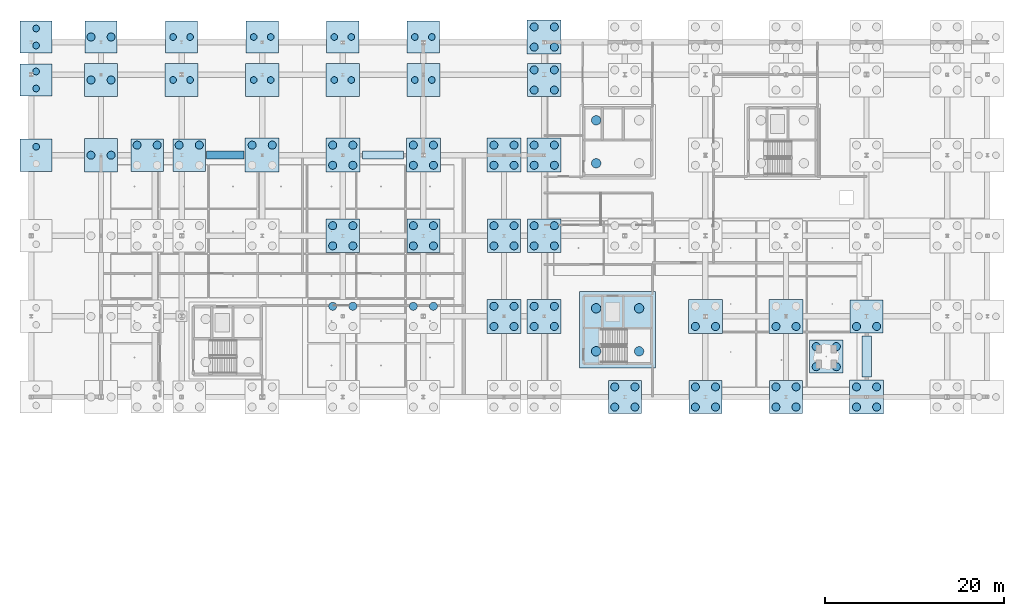
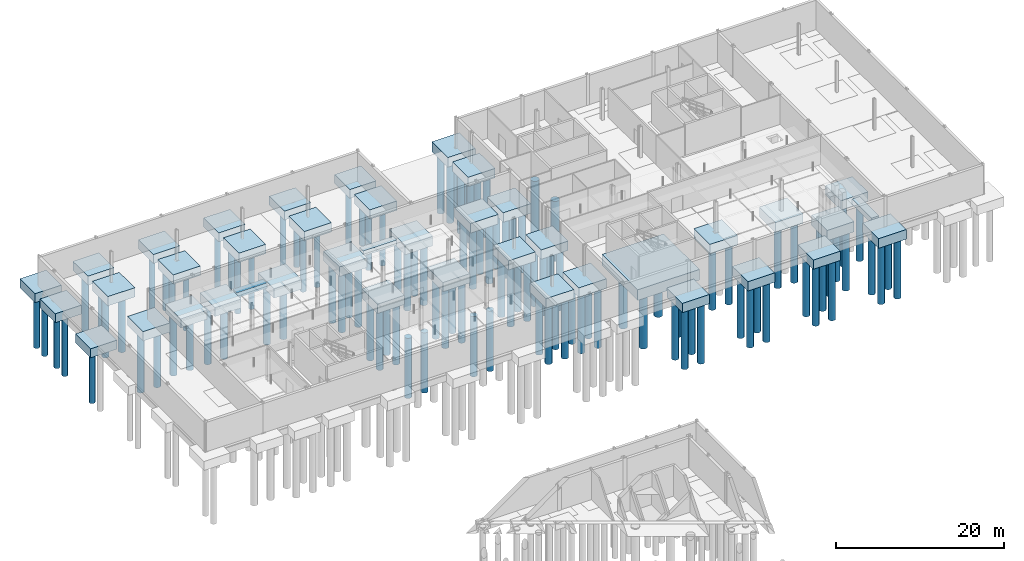
# One storey, part 3 of 48: 117 piles, 41 footings.
"""IFC4 building model written with IfcOpenShell, lengths in metres."""

import ifcopenshell
import ifcopenshell.guid

model = None  # the IFC model being written
_history = None  # IfcOwnerHistory: only IFC2X3 demands one
_inside = {}  # id of a spatial element -> (the spatial element, [elements in it])
_under = {}  # id of a project, library or spatial element -> (it, [spatial elements below it])
_declared = {}  # id of a project -> (the project, [libraries it declares])
_typed = {}  # id of a type object -> (the type object, [elements of that type])
_made_of = {}  # id of a material, layer set ... -> (it, [elements and type objects made of it])


def new_model(schema):
    """Start an empty IFC model of exactly this schema.

    Asked for "IFC4X3", IfcOpenShell would pick the latest addendum, in which some entities
    have other attributes; the version numbers below select the first issue.
    IFC2X3 requires an IfcOwnerHistory on every rooted entity: one is made here for all.
    """
    global model, _history
    if schema == "IFC4X3":
        model = ifcopenshell.file(schema_version=(4, 3, 0, 0))
    else:
        model = ifcopenshell.file(schema=schema)
    _inside.clear()
    _under.clear()
    _declared.clear()
    _typed.clear()
    _made_of.clear()
    _history = None
    if model.schema == "IFC2X3":
        org = make("IfcOrganization", Name="unknown")
        user = make(
            "IfcPersonAndOrganization",
            ThePerson=make("IfcPerson", FamilyName="unknown"),
            TheOrganization=org,
        )
        app = make(
            "IfcApplication",
            ApplicationDeveloper=org,
            Version="unknown",
            ApplicationFullName="unknown",
            ApplicationIdentifier="unknown",
        )
        _history = make(
            "IfcOwnerHistory",
            OwningUser=user,
            OwningApplication=app,
            ChangeAction="ADDED",
            CreationDate=0,
        )
    return model


def make(cls, **values):
    """One entity of the class cls with the attributes given. An attribute that is None is left unset."""
    return model.create_entity(
        cls, **{name: value for name, value in values.items() if value is not None}
    )


def rooted(cls, **values):
    """An entity with a GlobalId (a new one), such as an element, a storey or a relation."""
    return make(cls, GlobalId=ifcopenshell.guid.new(), OwnerHistory=_history, **values)


def si_unit(unit_type, name, prefix=None):
    """IfcSIUnit, for example si_unit("LENGTHUNIT", "METRE", prefix="MILLI")."""
    return make("IfcSIUnit", UnitType=unit_type, Prefix=prefix, Name=name)


def assignment(units):
    """IfcUnitAssignment: the units of a project."""
    return None if units is None else make("IfcUnitAssignment", Units=units)


def point(xyz):
    """IfcCartesianPoint."""
    return None if xyz is None else make("IfcCartesianPoint", Coordinates=xyz)


def direction(xyz):
    """IfcDirection."""
    return None if xyz is None else make("IfcDirection", DirectionRatios=xyz)


def frame(location, z_axis=None, x_axis=None):
    """IfcAxis2Placement3D, a coordinate frame: its origin and axes. An axis left out is left unset."""
    return make(
        "IfcAxis2Placement3D",
        Location=point(location),
        Axis=direction(z_axis),
        RefDirection=direction(x_axis),
    )


def frame_2d(location, x_axis=None):
    """IfcAxis2Placement2D, a coordinate frame in the plane: its origin and x axis."""
    return make(
        "IfcAxis2Placement2D", Location=point(location), RefDirection=direction(x_axis)
    )


def origin():
    """The frame at (0, 0, 0) with its axes left unset."""
    return frame((0.0, 0.0, 0.0))


def origin_2d():
    """The frame at (0, 0) in the plane with its x axis left unset."""
    return frame_2d((0.0, 0.0))


def place(relative_to, where):
    """IfcLocalPlacement: puts the frame where relative to a parent placement (None: the world)."""
    return make(
        "IfcLocalPlacement", PlacementRelTo=relative_to, RelativePlacement=where
    )


def context(
    kind, dimensions, precision=None, world=None, true_north=None, identifier=None
):
    """IfcGeometricRepresentationContext, for example the 3D "Model" context."""
    return make(
        "IfcGeometricRepresentationContext",
        ContextIdentifier=identifier,
        ContextType=kind,
        CoordinateSpaceDimension=dimensions,
        Precision=precision,
        WorldCoordinateSystem=world,
        TrueNorth=true_north,
    )


def subcontext(parent, identifier, kind, view, scale=None):
    """IfcGeometricRepresentationSubContext, for example "Body" below "Model"."""
    return make(
        "IfcGeometricRepresentationSubContext",
        ContextIdentifier=identifier,
        ContextType=kind,
        ParentContext=parent,
        TargetScale=scale,
        TargetView=view,
    )


def project(units=None, contexts=None):
    """IfcProject with its units and contexts."""
    return rooted(
        "IfcProject",
        Name="project",
        RepresentationContexts=contexts,
        UnitsInContext=assignment(units),
    )


def spatial(cls, under=None, at=None, **own):
    """A site, building, storey or space (cls), placed at a placement, below another one or the project."""
    s = rooted(cls, ObjectPlacement=at, **own)
    if under is not None:
        _under.setdefault(under.id(), (under, []))[1].append(s)
    return s


def profile(cls, at=None, kind="AREA", **sizes):
    """A parametric profile (cls). Its sizes go by their IFC names, for example OverallWidth=200.0."""
    return make(cls, ProfileType=kind, Position=at, **sizes)


def rectangle(**sizes):
    """IfcRectangleProfileDef."""
    return profile("IfcRectangleProfileDef", **sizes)


def circle(**sizes):
    """IfcCircleProfileDef."""
    return profile("IfcCircleProfileDef", **sizes)


def extrude(swept, where, along, depth):
    """IfcExtrudedAreaSolid: the profile swept, set in the frame where, extruded along a direction by depth."""
    return make(
        "IfcExtrudedAreaSolid",
        SweptArea=swept,
        Position=where,
        ExtrudedDirection=direction(along),
        Depth=depth,
    )


def shape(context_of_items, identifier, shape_type, items):
    """IfcShapeRepresentation: the items that make up one representation, for example the "Body"."""
    return make(
        "IfcShapeRepresentation",
        ContextOfItems=context_of_items,
        RepresentationIdentifier=identifier,
        RepresentationType=shape_type,
        Items=items,
    )


def material(Name=None, Category=None):
    """IfcMaterial."""
    return make("IfcMaterial", Name=Name, Category=Category)


def material_profile(
    of_material, cross_section, Name=None, Category=None, Priority=None
):
    """IfcMaterialProfile: a cross section and its material."""
    return make(
        "IfcMaterialProfile",
        Name=Name,
        Material=of_material,
        Profile=cross_section,
        Priority=Priority,
        Category=Category,
    )


def profile_set(profiles, Name=None, composite=None):
    """IfcMaterialProfileSet."""
    return make(
        "IfcMaterialProfileSet",
        Name=Name,
        MaterialProfiles=profiles,
        CompositeProfile=composite,
    )


def made_of(thing, what):
    """Note that an element or type object is made of a material, layer set ...; save() writes the relation."""
    if what is not None:
        _made_of.setdefault(what.id(), (what, []))[1].append(thing)
    return thing


def type_object(cls, material=None, **own):
    """A type object (cls), such as IfcWallType, which elements share."""
    return made_of(rooted(cls, **own), material)


def element(
    cls,
    number,
    at=None,
    inside=None,
    cuts=None,
    type_object=None,
    material=None,
    context=None,
    identifier="Body",
    shape_type=None,
    held_by="IfcProductDefinitionShape",
    body=None,
    shapes=None,
    **own,
):
    """One element of the class cls, such as IfcWall. Its Tag is "e" and its number.

    at: its placement. inside: the storey or other place that contains it. cuts: it is an
    opening in that element (IfcRelVoidsElement). A single representation is given by context,
    identifier, shape_type and body (its items); several are given by shapes. held_by: the class
    of the entity that holds the representations. save() writes the other relations.
    """
    e = rooted(cls, Tag="e%d" % number, ObjectPlacement=at, **own)
    if body is not None:
        shapes = [shape(context, identifier, shape_type, body)]
    if shapes is not None:
        e.Representation = make(held_by, Representations=shapes)
    if inside is not None:
        _inside.setdefault(inside.id(), (inside, []))[1].append(e)
    if cuts is not None:
        rooted(
            "IfcRelVoidsElement", RelatingBuildingElement=cuts, RelatedOpeningElement=e
        )
    if type_object is not None:
        _typed.setdefault(type_object.id(), (type_object, []))[1].append(e)
    return made_of(e, material)


def aggregate(whole, parts):
    """IfcRelAggregates: a whole, such as a stair, and the parts it consists of."""
    return rooted("IfcRelAggregates", RelatingObject=whole, RelatedObjects=parts)


def save(model, path):
    """Write the relations noted so far, then the file.

    IfcRelAggregates (storeys below a building ...), IfcRelContainedInSpatialStructure (elements
    in a storey), IfcRelDefinesByType, IfcRelAssociatesMaterial and IfcRelDeclares: one each for
    every whole, place, type object, material and project.
    """
    for whole, parts in _under.values():
        aggregate(whole, parts)
    for where, things in _inside.values():
        rooted(
            "IfcRelContainedInSpatialStructure",
            RelatedElements=things,
            RelatingStructure=where,
        )
    for kind, things in _typed.values():
        rooted("IfcRelDefinesByType", RelatedObjects=things, RelatingType=kind)
    for what, things in _made_of.values():
        rooted("IfcRelAssociatesMaterial", RelatedObjects=things, RelatingMaterial=what)
    for by, libraries in _declared.values():
        rooted("IfcRelDeclares", RelatingContext=by, RelatedDefinitions=libraries)
    model.write(path)


model = new_model("IFC4")

# Units and contexts
model_context = context("Model", 3, precision=1e-05, world=origin(), true_north=direction((0.0, 1.0)))
body_context = subcontext(model_context, "Body", "Model", "MODEL_VIEW")
ifc_project = project(units=[si_unit("LENGTHUNIT", "METRE"), si_unit("AREAUNIT", "SQUARE_METRE"), si_unit("VOLUMEUNIT", "CUBIC_METRE"), si_unit("PLANEANGLEUNIT", "RADIAN"), si_unit("MASSUNIT", "GRAM", prefix="KILO"), si_unit("THERMODYNAMICTEMPERATUREUNIT", "KELVIN"), si_unit("POWERUNIT", "WATT")], contexts=[model_context])

# Site, building, storey
site_placement = place(None, origin())
site = spatial("IfcSite", under=ifc_project, at=site_placement, CompositionType="ELEMENT")
building_placement = place(site_placement, origin())
building = spatial("IfcBuilding", under=site, at=building_placement, Name="Tallowbark Science Centre", CompositionType="ELEMENT")
storey_placement = place(building_placement, frame((0.0, 0.0, -4.5)))
storey = spatial("IfcBuildingStorey", under=building, at=storey_placement, Name="B1", CompositionType="ELEMENT", Elevation=-4.5)

# Footings
ifc_material = material(Name="Concrete Grade N40 (40 MPa)", Category="concrete")
footing_type_1 = type_object("IfcFootingType", Name="FTG-CORE-C2", PredefinedType="PILE_CAP", material=ifc_material)
footing_1_placement = place(storey_placement, frame((120.699951171875, 79.5, -1.5498046875), z_axis=(0.0, 0.0, 1.0), x_axis=(1.0, 0.0, 0.0)))
element("IfcFooting", 1, at=footing_1_placement, inside=storey, type_object=footing_type_1, Name="Core Mat Pile Cap C2", PredefinedType="PILE_CAP", context=body_context, shape_type="SweptSolid", body=[
    extrude(rectangle(XDim=8.5, YDim=8.5, at=origin_2d()), origin(), (0.0, 0.0, 1.0), 1.550048828125),
])
footing_type_2 = type_object("IfcFootingType", Name="FTG-PC4-260", PredefinedType="PILE_CAP", material=ifc_material)
for number, where, z_axis, x_axis, name in (
    (2, (55.75, 99.0, -1.2998046875), (0.0, 0.0, 1.0), (1.0, 0.0, 0.0), "Pile Cap LAB-0_3"),
    (3, (55.75, 107.39990234375, -1.2998046875), (0.0, 0.0, 1.0), (1.0, 0.0, 0.0), "Pile Cap LAB-0_4"),
    (4, (55.75, 112.199951171875, -1.2998046875), (0.0, 0.0, 1.0), (1.0, 0.0, 0.0), "Pile Cap LAB-0_5"),
    (5, (63.0, 112.199951171875, -1.2998046875), (0.0, 0.0, 1.0), (1.0, 0.0, 0.0), "Pile Cap LAB-1_5"),
    (6, (68.14990234375, 99.0, -1.2998046875), (0.0, 0.0, 1.0), (1.0, 0.0, 0.0), "Pile Cap LAB-2_3"),
    (7, (72.85009765625, 99.0, -1.2998046875), (0.0, 0.0, 1.0), (1.0, 0.0, 0.0), "Pile Cap LAB-3_3"),
    (8, (72.0, 112.199951171875, -1.2998046875), (0.0, 0.0, 1.0), (1.0, 0.0, 0.0), "Pile Cap LAB-3_5"),
    (9, (81.0, 112.199951171875, -1.2998046875), (0.0, 0.0, 1.0), (1.0, 0.0, 0.0), "Pile Cap LAB-4_5"),
    (10, (90.0, 112.199951171875, -1.2998046875), (0.0, 0.0, 1.0), (1.0, 0.0, 0.0), "Pile Cap LAB-5_5"),
    (11, (99.0, 112.199951171875, -1.2998046875), (0.0, 0.0, 1.0), (1.0, 0.0, 0.0), "Pile Cap LAB-6_5"),
):
    element("IfcFooting", number, at=place(storey_placement, frame(where, z_axis=z_axis, x_axis=x_axis)), inside=storey, type_object=footing_type_2, Name=name, PredefinedType="PILE_CAP", context=body_context, shape_type="SweptSolid", body=[
        extrude(rectangle(XDim=3.60009765625, YDim=3.60009765625, at=origin_2d()), origin(), (0.0, 0.0, 1.0), 1.300048828125),
    ])
footing_type_3 = type_object("IfcFootingType", Name="FTG-PC4-270", PredefinedType="PILE_CAP", material=ifc_material)
for number, where, z_axis, x_axis, name in (
    (12, (63.0, 99.0, -1.35009765625), (0.0, 0.0, 1.0), (1.0, 0.0, 0.0), "Pile Cap LAB-1_3"),
    (13, (63.0, 107.39990234375, -1.35009765625), (0.0, 0.0, 1.0), (1.0, 0.0, 0.0), "Pile Cap LAB-1_4"),
    (14, (72.0, 107.39990234375, -1.35009765625), (0.0, 0.0, 1.0), (1.0, 0.0, 0.0), "Pile Cap LAB-3_4"),
    (15, (81.0, 107.39990234375, -1.35009765625), (0.0, 0.0, 1.0), (1.0, 0.0, 0.0), "Pile Cap LAB-4_4"),
    (16, (90.0, 90.0, -1.35009765625), (0.0, 0.0, 1.0), (1.0, 0.0, 0.0), "Pile Cap LAB-5_2"),
    (17, (90.0, 107.39990234375, -1.35009765625), (0.0, 0.0, 1.0), (1.0, 0.0, 0.0), "Pile Cap LAB-5_4"),
    (18, (99.0, 90.0, -1.35009765625), (0.0, 0.0, 1.0), (1.0, 0.0, 0.0), "Pile Cap LAB-6_2"),
    (19, (99.0, 107.39990234375, -1.35009765625), (0.0, 0.0, 1.0), (1.0, 0.0, 0.0), "Pile Cap LAB-6_4"),
    (20, (108.0, 90.0, -1.35009765625), (0.0, 0.0, 1.0), (1.0, 0.0, 0.0), "Pile Cap LAB-7_2"),
    (21, (112.5, 90.0, -1.35009765625), (0.0, 0.0, 1.0), (1.0, 0.0, 0.0), "Pile Cap LAB-8_2"),
    (22, (112.5, 107.39990234375, -1.35009765625), (0.0, 0.0, 1.0), (1.0, 0.0, 0.0), "Pile Cap OBS-0_4"),
    (23, (121.5, 72.0, -1.35009765625), (0.0, 0.0, 1.0), (1.0, 0.0, 0.0), "Pile Cap OBS-1_0"),
    (24, (130.5, 72.0, -1.35009765625), (0.0, 0.0, 1.0), (1.0, 0.0, 0.0), "Pile Cap OBS-2_0"),
    (25, (139.5, 72.0, -1.35009765625), (0.0, 0.0, 1.0), (1.0, 0.0, 0.0), "Pile Cap OBS-3_0"),
    (26, (148.5, 81.0, -1.35009765625), (0.0, 0.0, 1.0), (1.0, 0.0, 0.0), "Pile Cap OBS-4_1"),
):
    element("IfcFooting", number, at=place(storey_placement, frame(where, z_axis=z_axis, x_axis=x_axis)), inside=storey, type_object=footing_type_3, Name=name, PredefinedType="PILE_CAP", context=body_context, shape_type="SweptSolid", body=[
        extrude(rectangle(XDim=3.699951171875, YDim=3.699951171875, at=origin_2d()), origin(), (0.0, 0.0, 1.0), 1.35009765625),
    ])
footing_type_4 = type_object("IfcFootingType", Name="FTG-PC4-280", PredefinedType="PILE_CAP", material=ifc_material)
for number, where, z_axis, x_axis, name in (
    (27, (81.0, 99.0, -1.39990234375), (0.0, 0.0, 1.0), (1.0, 0.0, 0.0), "Pile Cap LAB-4_3"),
    (28, (90.0, 99.0, -1.39990234375), (0.0, 0.0, 1.0), (1.0, 0.0, 0.0), "Pile Cap LAB-5_3"),
    (29, (99.0, 99.0, -1.39990234375), (0.0, 0.0, 1.0), (1.0, 0.0, 0.0), "Pile Cap LAB-6_3"),
    (30, (108.0, 81.0, -1.39990234375), (0.0, 0.0, 1.0), (1.0, 0.0, 0.0), "Pile Cap LAB-7_1"),
    (31, (108.0, 99.0, -1.39990234375), (0.0, 0.0, 1.0), (1.0, 0.0, 0.0), "Pile Cap LAB-7_3"),
    (32, (112.5, 81.0, -1.39990234375), (0.0, 0.0, 1.0), (1.0, 0.0, 0.0), "Pile Cap LAB-8_1"),
    (33, (112.5, 99.0, -1.39990234375), (0.0, 0.0, 1.0), (1.0, 0.0, 0.0), "Pile Cap LAB-8_3"),
    (34, (112.5, 112.199951171875, -1.39990234375), (0.0, 0.0, 1.0), (1.0, 0.0, 0.0), "Pile Cap OBS-0_5"),
    (35, (130.5, 81.0, -1.39990234375), (0.0, 0.0, 1.0), (1.0, 0.0, 0.0), "Pile Cap OBS-2_1"),
    (36, (139.5, 81.0, -1.39990234375), (0.0, 0.0, 1.0), (1.0, 0.0, 0.0), "Pile Cap OBS-3_1"),
    (37, (148.5, 72.0, -1.39990234375), (0.0, 0.0, 1.0), (1.0, 0.0, 0.0), "Pile Cap OBS-4_0"),
):
    element("IfcFooting", number, at=place(storey_placement, frame(where, z_axis=z_axis, x_axis=x_axis)), inside=storey, type_object=footing_type_4, Name=name, PredefinedType="PILE_CAP", context=body_context, shape_type="SweptSolid", body=[
        extrude(rectangle(XDim=3.800048828125, YDim=3.800048828125, at=origin_2d()), origin(), (0.0, 0.0, 1.0), 1.39990234375),
    ])
footing_type_5 = type_object("IfcFootingType", Name="FTG-STR-1050", PredefinedType="STRIP_FOOTING", material=ifc_material)
footing_2_placement = place(storey_placement, frame((148.5, 76.5, -0.7998046875), z_axis=(0.0, 0.0, 1.0), x_axis=(0.0, 1.0, 0.0)))
element("IfcFooting", 38, at=footing_2_placement, inside=storey, type_object=footing_type_5, Name="Strip Footing STR-E1", PredefinedType="STRIP_FOOTING", context=body_context, shape_type="SweptSolid", body=[
    extrude(rectangle(XDim=4.60009765625, YDim=1.050048828125, at=origin_2d()), origin(), (0.0, 0.0, 1.0), 0.800048828125),
])
footing_type_6 = type_object("IfcFootingType", Name="FTG-STR-900", PredefinedType="STRIP_FOOTING", material=ifc_material)
footing_3_placement = place(storey_placement, frame((76.875, 99.0, -0.75), z_axis=(0.0, 0.0, 1.0), x_axis=(1.0, 0.0, 0.0)))
element("IfcFooting", 39, at=footing_3_placement, inside=storey, type_object=footing_type_6, Name="Strip Footing STR-N1", PredefinedType="STRIP_FOOTING", context=body_context, shape_type="SweptSolid", body=[
    extrude(rectangle(XDim=4.14990234375, YDim=0.89990234375, at=origin_2d()), origin(), (0.0, 0.0, 1.0), 0.75),
])
footing_4_placement = place(storey_placement, frame((94.5, 99.0, -0.75), z_axis=(0.0, 0.0, 1.0), x_axis=(1.0, 0.0, 0.0)))
element("IfcFooting", 40, at=footing_4_placement, inside=storey, type_object=footing_type_6, Name="Strip Footing STR-N2", PredefinedType="STRIP_FOOTING", context=body_context, shape_type="SweptSolid", body=[
    extrude(rectangle(XDim=4.60009765625, YDim=0.89990234375, at=origin_2d()), origin(), (0.0, 0.0, 1.0), 0.75),
])
footing_type_7 = type_object("IfcFootingType", Name="FTG-TEL-PIER", PredefinedType="PILE_CAP", material=ifc_material)
footing_5_placement = place(storey_placement, frame((144.0, 76.5, -1.5), z_axis=(0.0, 0.0, 1.0), x_axis=(1.0, 0.0, 0.0)))
element("IfcFooting", 41, at=footing_5_placement, inside=storey, type_object=footing_type_7, Name="Isolated Telescope Pier Cap", PredefinedType="PILE_CAP", context=body_context, shape_type="SweptSolid", body=[
    extrude(rectangle(XDim=3.699951171875, YDim=3.699951171875, at=origin_2d()), origin(), (0.0, 0.0, 1.0), 1.5),
])

# Piles
ifc_material_profile_1 = material_profile(ifc_material, circle(Radius=0.52490234375, at=origin_2d()), Name="PILE1050")
ifc_profile_set_1 = profile_set([ifc_material_profile_1], Name="Concrete Grade N40 (40 MPa)")
pile_type_1 = type_object("IfcPileType", Name="PIL-B1050", PredefinedType="BORED", material=ifc_profile_set_1)
for number, where, z_axis, x_axis, name in (
    (42, (118.300048828125, 77.10009765625, -1.39990234375), (0.0, 0.0, -1.0), (1.0, 0.0, 0.0), "Core Bored Pile C2-1"),
    (43, (123.10009765625, 77.10009765625, -1.39990234375), (0.0, 0.0, -1.0), (1.0, 0.0, 0.0), "Core Bored Pile C2-2"),
    (44, (118.300048828125, 81.89990234375, -1.39990234375), (0.0, 0.0, -1.0), (1.0, 0.0, 0.0), "Core Bored Pile C2-3"),
    (45, (123.10009765625, 81.89990234375, -1.39990234375), (0.0, 0.0, -1.0), (1.0, 0.0, 0.0), "Core Bored Pile C2-4"),
):
    element("IfcPile", number, at=place(storey_placement, frame(where, z_axis=z_axis, x_axis=x_axis)), inside=storey, type_object=pile_type_1, Name=name, PredefinedType="BORED", context=body_context, shape_type="SweptSolid", body=[
        extrude(circle(Radius=0.52490234375, at=origin_2d()), origin(), (0.0, 0.0, 1.0), 8.60009765625),
    ])
for number, where, z_axis, x_axis, name in (
    (46, (118.300048828125, 98.10009765625, -1.300048828125), (0.0, 0.0, -1.0), (1.0, 0.0, 0.0), "Core Bored Pile C5-1"),
    (47, (118.300048828125, 102.89990234375, -1.300048828125), (0.0, 0.0, -1.0), (1.0, 0.0, 0.0), "Core Bored Pile C5-3"),
):
    element("IfcPile", number, at=place(storey_placement, frame(where, z_axis=z_axis, x_axis=x_axis)), inside=storey, type_object=pile_type_1, Name=name, PredefinedType="BORED", context=body_context, shape_type="SweptSolid", body=[
        extrude(circle(Radius=0.52490234375, at=origin_2d()), origin(), (0.0, 0.0, 1.0), 8.699951171875),
    ])
ifc_material_profile_2 = material_profile(ifc_material, circle(Radius=0.375, at=origin_2d()), Name="PILE750")
ifc_profile_set_2 = profile_set([ifc_material_profile_2], Name="Concrete Grade N40 (40 MPa)")
pile_type_2 = type_object("IfcPileType", Name="PIL-B750", PredefinedType="BORED", material=ifc_profile_set_2)
for number, where, z_axis, x_axis, name in (
    (48, (55.75, 99.949951171875, -1.14990234375), (0.0, 0.0, -1.0), (1.0, 0.0, 0.0), "Bored Pile LAB-0_3-2"),
    (49, (55.75, 106.449951171875, -1.14990234375), (0.0, 0.0, -1.0), (1.0, 0.0, 0.0), "Bored Pile LAB-0_4-1"),
    (50, (55.75, 108.35009765625, -1.14990234375), (0.0, 0.0, -1.0), (1.0, 0.0, 0.0), "Bored Pile LAB-0_4-2"),
    (51, (55.75, 111.25, -1.14990234375), (0.0, 0.0, -1.0), (1.0, 0.0, 0.0), "Bored Pile LAB-0_5-1"),
    (52, (55.75, 113.14990234375, -1.14990234375), (0.0, 0.0, -1.0), (1.0, 0.0, 0.0), "Bored Pile LAB-0_5-2"),
):
    element("IfcPile", number, at=place(storey_placement, frame(where, z_axis=z_axis, x_axis=x_axis)), inside=storey, type_object=pile_type_2, Name=name, PredefinedType="BORED", context=body_context, shape_type="SweptSolid", body=[
        extrude(circle(Radius=0.375, at=origin_2d()), origin(), (0.0, 0.0, 1.0), 8.85009765625),
    ])
for number, where, z_axis, x_axis, name in (
    (53, (71.050048828125, 107.39990234375, -1.199951171875), (0.0, 0.0, -1.0), (1.0, 0.0, 0.0), "Bored Pile LAB-3_4-1"),
    (54, (72.949951171875, 107.39990234375, -1.199951171875), (0.0, 0.0, -1.0), (1.0, 0.0, 0.0), "Bored Pile LAB-3_4-2"),
):
    element("IfcPile", number, at=place(storey_placement, frame(where, z_axis=z_axis, x_axis=x_axis)), inside=storey, type_object=pile_type_2, Name=name, PredefinedType="BORED", context=body_context, shape_type="SweptSolid", body=[
        extrude(circle(Radius=0.375, at=origin_2d()), origin(), (0.0, 0.0, 1.0), 8.800048828125),
    ])
for number, where, z_axis, x_axis, name in (
    (55, (71.050048828125, 112.199951171875, -1.14990234375), (0.0, 0.0, -1.0), (1.0, 0.0, 0.0), "Bored Pile LAB-3_5-1"),
    (56, (72.949951171875, 112.199951171875, -1.14990234375), (0.0, 0.0, -1.0), (1.0, 0.0, 0.0), "Bored Pile LAB-3_5-2"),
):
    element("IfcPile", number, at=place(storey_placement, frame(where, z_axis=z_axis, x_axis=x_axis)), inside=storey, type_object=pile_type_2, Name=name, PredefinedType="BORED", context=body_context, shape_type="SweptSolid", body=[
        extrude(circle(Radius=0.375, at=origin_2d()), origin(), (0.0, 0.0, 1.0), 8.85009765625),
    ])
for number, where, z_axis, x_axis, name in (
    (57, (80.050048828125, 107.39990234375, -1.199951171875), (0.0, 0.0, -1.0), (1.0, 0.0, 0.0), "Bored Pile LAB-4_4-1"),
    (58, (81.949951171875, 107.39990234375, -1.199951171875), (0.0, 0.0, -1.0), (1.0, 0.0, 0.0), "Bored Pile LAB-4_4-2"),
):
    element("IfcPile", number, at=place(storey_placement, frame(where, z_axis=z_axis, x_axis=x_axis)), inside=storey, type_object=pile_type_2, Name=name, PredefinedType="BORED", context=body_context, shape_type="SweptSolid", body=[
        extrude(circle(Radius=0.375, at=origin_2d()), origin(), (0.0, 0.0, 1.0), 8.800048828125),
    ])
for number, where, z_axis, x_axis, name in (
    (59, (80.050048828125, 112.199951171875, -1.14990234375), (0.0, 0.0, -1.0), (1.0, 0.0, 0.0), "Bored Pile LAB-4_5-1"),
    (60, (81.949951171875, 112.199951171875, -1.14990234375), (0.0, 0.0, -1.0), (1.0, 0.0, 0.0), "Bored Pile LAB-4_5-2"),
):
    element("IfcPile", number, at=place(storey_placement, frame(where, z_axis=z_axis, x_axis=x_axis)), inside=storey, type_object=pile_type_2, Name=name, PredefinedType="BORED", context=body_context, shape_type="SweptSolid", body=[
        extrude(circle(Radius=0.375, at=origin_2d()), origin(), (0.0, 0.0, 1.0), 8.85009765625),
    ])
for number, where, z_axis, x_axis, name in (
    (61, (89.050048828125, 107.39990234375, -1.199951171875), (0.0, 0.0, -1.0), (1.0, 0.0, 0.0), "Bored Pile LAB-5_4-1"),
    (62, (90.949951171875, 107.39990234375, -1.199951171875), (0.0, 0.0, -1.0), (1.0, 0.0, 0.0), "Bored Pile LAB-5_4-2"),
):
    element("IfcPile", number, at=place(storey_placement, frame(where, z_axis=z_axis, x_axis=x_axis)), inside=storey, type_object=pile_type_2, Name=name, PredefinedType="BORED", context=body_context, shape_type="SweptSolid", body=[
        extrude(circle(Radius=0.375, at=origin_2d()), origin(), (0.0, 0.0, 1.0), 8.800048828125),
    ])
for number, where, z_axis, x_axis, name in (
    (63, (89.050048828125, 112.199951171875, -1.14990234375), (0.0, 0.0, -1.0), (1.0, 0.0, 0.0), "Bored Pile LAB-5_5-1"),
    (64, (90.949951171875, 112.199951171875, -1.14990234375), (0.0, 0.0, -1.0), (1.0, 0.0, 0.0), "Bored Pile LAB-5_5-2"),
):
    element("IfcPile", number, at=place(storey_placement, frame(where, z_axis=z_axis, x_axis=x_axis)), inside=storey, type_object=pile_type_2, Name=name, PredefinedType="BORED", context=body_context, shape_type="SweptSolid", body=[
        extrude(circle(Radius=0.375, at=origin_2d()), origin(), (0.0, 0.0, 1.0), 8.85009765625),
    ])
for number, where, z_axis, x_axis, name in (
    (65, (98.050048828125, 107.39990234375, -1.199951171875), (0.0, 0.0, -1.0), (1.0, 0.0, 0.0), "Bored Pile LAB-6_4-1"),
    (66, (99.949951171875, 107.39990234375, -1.199951171875), (0.0, 0.0, -1.0), (1.0, 0.0, 0.0), "Bored Pile LAB-6_4-2"),
):
    element("IfcPile", number, at=place(storey_placement, frame(where, z_axis=z_axis, x_axis=x_axis)), inside=storey, type_object=pile_type_2, Name=name, PredefinedType="BORED", context=body_context, shape_type="SweptSolid", body=[
        extrude(circle(Radius=0.375, at=origin_2d()), origin(), (0.0, 0.0, 1.0), 8.800048828125),
    ])
for number, where, z_axis, x_axis, name in (
    (67, (98.050048828125, 112.199951171875, -1.14990234375), (0.0, 0.0, -1.0), (1.0, 0.0, 0.0), "Bored Pile LAB-6_5-1"),
    (68, (99.949951171875, 112.199951171875, -1.14990234375), (0.0, 0.0, -1.0), (1.0, 0.0, 0.0), "Bored Pile LAB-6_5-2"),
):
    element("IfcPile", number, at=place(storey_placement, frame(where, z_axis=z_axis, x_axis=x_axis)), inside=storey, type_object=pile_type_2, Name=name, PredefinedType="BORED", context=body_context, shape_type="SweptSolid", body=[
        extrude(circle(Radius=0.375, at=origin_2d()), origin(), (0.0, 0.0, 1.0), 8.85009765625),
    ])
ifc_material_profile_3 = material_profile(ifc_material, circle(Radius=0.449951171875, at=origin_2d()), Name="PILE900")
ifc_profile_set_3 = profile_set([ifc_material_profile_3], Name="Concrete Grade N40 (40 MPa)")
pile_type_3 = type_object("IfcPileType", Name="PIL-B900", PredefinedType="BORED", material=ifc_profile_set_3)
for number, where, z_axis, x_axis, name in (
    (69, (61.875, 99.0, -1.199951171875), (0.0, 0.0, -1.0), (1.0, 0.0, 0.0), "Bored Pile LAB-1_3-1"),
    (70, (64.125, 99.0, -1.199951171875), (0.0, 0.0, -1.0), (1.0, 0.0, 0.0), "Bored Pile LAB-1_3-2"),
    (71, (61.875, 107.39990234375, -1.199951171875), (0.0, 0.0, -1.0), (1.0, 0.0, 0.0), "Bored Pile LAB-1_4-1"),
    (72, (64.125, 107.39990234375, -1.199951171875), (0.0, 0.0, -1.0), (1.0, 0.0, 0.0), "Bored Pile LAB-1_4-2"),
):
    element("IfcPile", number, at=place(storey_placement, frame(where, z_axis=z_axis, x_axis=x_axis)), inside=storey, type_object=pile_type_3, Name=name, PredefinedType="BORED", context=body_context, shape_type="SweptSolid", body=[
        extrude(circle(Radius=0.449951171875, at=origin_2d()), origin(), (0.0, 0.0, 1.0), 8.800048828125),
    ])
for number, where, z_axis, x_axis, name in (
    (73, (61.875, 112.199951171875, -1.14990234375), (0.0, 0.0, -1.0), (1.0, 0.0, 0.0), "Bored Pile LAB-1_5-1"),
    (74, (64.125, 112.199951171875, -1.14990234375), (0.0, 0.0, -1.0), (1.0, 0.0, 0.0), "Bored Pile LAB-1_5-2"),
    (75, (67.02490234375, 100.125, -1.14990234375), (0.0, 0.0, -1.0), (1.0, 0.0, 0.0), "Bored Pile LAB-2_3-3"),
    (76, (69.27490234375, 100.125, -1.14990234375), (0.0, 0.0, -1.0), (1.0, 0.0, 0.0), "Bored Pile LAB-2_3-4"),
    (77, (71.72509765625, 100.125, -1.14990234375), (0.0, 0.0, -1.0), (1.0, 0.0, 0.0), "Bored Pile LAB-3_3-3"),
    (78, (73.97509765625, 100.125, -1.14990234375), (0.0, 0.0, -1.0), (1.0, 0.0, 0.0), "Bored Pile LAB-3_3-4"),
):
    element("IfcPile", number, at=place(storey_placement, frame(where, z_axis=z_axis, x_axis=x_axis)), inside=storey, type_object=pile_type_3, Name=name, PredefinedType="BORED", context=body_context, shape_type="SweptSolid", body=[
        extrude(circle(Radius=0.449951171875, at=origin_2d()), origin(), (0.0, 0.0, 1.0), 8.85009765625),
    ])
for number, where, z_axis, x_axis, name in (
    (79, (79.875, 100.125, -1.25), (0.0, 0.0, -1.0), (1.0, 0.0, 0.0), "Bored Pile LAB-4_3-3"),
    (80, (82.125, 100.125, -1.25), (0.0, 0.0, -1.0), (1.0, 0.0, 0.0), "Bored Pile LAB-4_3-4"),
    (81, (88.875, 82.125, -1.25), (0.0, 0.0, -1.0), (1.0, 0.0, 0.0), "Bored Pile LAB-5_1-3"),
    (82, (91.125, 82.125, -1.25), (0.0, 0.0, -1.0), (1.0, 0.0, 0.0), "Bored Pile LAB-5_1-4"),
):
    element("IfcPile", number, at=place(storey_placement, frame(where, z_axis=z_axis, x_axis=x_axis)), inside=storey, type_object=pile_type_3, Name=name, PredefinedType="BORED", context=body_context, shape_type="SweptSolid", body=[
        extrude(circle(Radius=0.449951171875, at=origin_2d()), origin(), (0.0, 0.0, 1.0), 8.75),
    ])
for number, where, z_axis, x_axis, name in (
    (83, (88.875, 88.875, -1.199951171875), (0.0, 0.0, -1.0), (1.0, 0.0, 0.0), "Bored Pile LAB-5_2-1"),
    (84, (91.125, 88.875, -1.199951171875), (0.0, 0.0, -1.0), (1.0, 0.0, 0.0), "Bored Pile LAB-5_2-2"),
    (85, (88.875, 91.125, -1.199951171875), (0.0, 0.0, -1.0), (1.0, 0.0, 0.0), "Bored Pile LAB-5_2-3"),
    (86, (91.125, 91.125, -1.199951171875), (0.0, 0.0, -1.0), (1.0, 0.0, 0.0), "Bored Pile LAB-5_2-4"),
):
    element("IfcPile", number, at=place(storey_placement, frame(where, z_axis=z_axis, x_axis=x_axis)), inside=storey, type_object=pile_type_3, Name=name, PredefinedType="BORED", context=body_context, shape_type="SweptSolid", body=[
        extrude(circle(Radius=0.449951171875, at=origin_2d()), origin(), (0.0, 0.0, 1.0), 8.800048828125),
    ])
for number, where, z_axis, x_axis, name in (
    (87, (88.875, 97.875, -1.25), (0.0, 0.0, -1.0), (1.0, 0.0, 0.0), "Bored Pile LAB-5_3-1"),
    (88, (91.125, 97.875, -1.25), (0.0, 0.0, -1.0), (1.0, 0.0, 0.0), "Bored Pile LAB-5_3-2"),
    (89, (88.875, 100.125, -1.25), (0.0, 0.0, -1.0), (1.0, 0.0, 0.0), "Bored Pile LAB-5_3-3"),
    (90, (91.125, 100.125, -1.25), (0.0, 0.0, -1.0), (1.0, 0.0, 0.0), "Bored Pile LAB-5_3-4"),
    (91, (97.875, 82.125, -1.25), (0.0, 0.0, -1.0), (1.0, 0.0, 0.0), "Bored Pile LAB-6_1-3"),
    (92, (100.125, 82.125, -1.25), (0.0, 0.0, -1.0), (1.0, 0.0, 0.0), "Bored Pile LAB-6_1-4"),
):
    element("IfcPile", number, at=place(storey_placement, frame(where, z_axis=z_axis, x_axis=x_axis)), inside=storey, type_object=pile_type_3, Name=name, PredefinedType="BORED", context=body_context, shape_type="SweptSolid", body=[
        extrude(circle(Radius=0.449951171875, at=origin_2d()), origin(), (0.0, 0.0, 1.0), 8.75),
    ])
for number, where, z_axis, x_axis, name in (
    (93, (97.875, 88.875, -1.199951171875), (0.0, 0.0, -1.0), (1.0, 0.0, 0.0), "Bored Pile LAB-6_2-1"),
    (94, (100.125, 88.875, -1.199951171875), (0.0, 0.0, -1.0), (1.0, 0.0, 0.0), "Bored Pile LAB-6_2-2"),
    (95, (97.875, 91.125, -1.199951171875), (0.0, 0.0, -1.0), (1.0, 0.0, 0.0), "Bored Pile LAB-6_2-3"),
    (96, (100.125, 91.125, -1.199951171875), (0.0, 0.0, -1.0), (1.0, 0.0, 0.0), "Bored Pile LAB-6_2-4"),
):
    element("IfcPile", number, at=place(storey_placement, frame(where, z_axis=z_axis, x_axis=x_axis)), inside=storey, type_object=pile_type_3, Name=name, PredefinedType="BORED", context=body_context, shape_type="SweptSolid", body=[
        extrude(circle(Radius=0.449951171875, at=origin_2d()), origin(), (0.0, 0.0, 1.0), 8.800048828125),
    ])
for number, where, z_axis, x_axis, name in (
    (97, (97.875, 97.875, -1.25), (0.0, 0.0, -1.0), (1.0, 0.0, 0.0), "Bored Pile LAB-6_3-1"),
    (98, (100.125, 97.875, -1.25), (0.0, 0.0, -1.0), (1.0, 0.0, 0.0), "Bored Pile LAB-6_3-2"),
    (99, (97.875, 100.125, -1.25), (0.0, 0.0, -1.0), (1.0, 0.0, 0.0), "Bored Pile LAB-6_3-3"),
    (100, (100.125, 100.125, -1.25), (0.0, 0.0, -1.0), (1.0, 0.0, 0.0), "Bored Pile LAB-6_3-4"),
    (101, (106.875, 79.875, -1.25), (0.0, 0.0, -1.0), (1.0, 0.0, 0.0), "Bored Pile LAB-7_1-1"),
    (102, (109.125, 79.875, -1.25), (0.0, 0.0, -1.0), (1.0, 0.0, 0.0), "Bored Pile LAB-7_1-2"),
    (103, (106.875, 82.125, -1.25), (0.0, 0.0, -1.0), (1.0, 0.0, 0.0), "Bored Pile LAB-7_1-3"),
    (104, (109.125, 82.125, -1.25), (0.0, 0.0, -1.0), (1.0, 0.0, 0.0), "Bored Pile LAB-7_1-4"),
):
    element("IfcPile", number, at=place(storey_placement, frame(where, z_axis=z_axis, x_axis=x_axis)), inside=storey, type_object=pile_type_3, Name=name, PredefinedType="BORED", context=body_context, shape_type="SweptSolid", body=[
        extrude(circle(Radius=0.449951171875, at=origin_2d()), origin(), (0.0, 0.0, 1.0), 8.75),
    ])
for number, where, z_axis, x_axis, name in (
    (105, (106.875, 88.875, -1.199951171875), (0.0, 0.0, -1.0), (1.0, 0.0, 0.0), "Bored Pile LAB-7_2-1"),
    (106, (109.125, 88.875, -1.199951171875), (0.0, 0.0, -1.0), (1.0, 0.0, 0.0), "Bored Pile LAB-7_2-2"),
    (107, (106.875, 91.125, -1.199951171875), (0.0, 0.0, -1.0), (1.0, 0.0, 0.0), "Bored Pile LAB-7_2-3"),
    (108, (109.125, 91.125, -1.199951171875), (0.0, 0.0, -1.0), (1.0, 0.0, 0.0), "Bored Pile LAB-7_2-4"),
):
    element("IfcPile", number, at=place(storey_placement, frame(where, z_axis=z_axis, x_axis=x_axis)), inside=storey, type_object=pile_type_3, Name=name, PredefinedType="BORED", context=body_context, shape_type="SweptSolid", body=[
        extrude(circle(Radius=0.449951171875, at=origin_2d()), origin(), (0.0, 0.0, 1.0), 8.800048828125),
    ])
for number, where, z_axis, x_axis, name in (
    (109, (106.875, 97.875, -1.25), (0.0, 0.0, -1.0), (1.0, 0.0, 0.0), "Bored Pile LAB-7_3-1"),
    (110, (109.125, 97.875, -1.25), (0.0, 0.0, -1.0), (1.0, 0.0, 0.0), "Bored Pile LAB-7_3-2"),
    (111, (106.875, 100.125, -1.25), (0.0, 0.0, -1.0), (1.0, 0.0, 0.0), "Bored Pile LAB-7_3-3"),
    (112, (109.125, 100.125, -1.25), (0.0, 0.0, -1.0), (1.0, 0.0, 0.0), "Bored Pile LAB-7_3-4"),
    (113, (111.375, 79.875, -1.25), (0.0, 0.0, -1.0), (1.0, 0.0, 0.0), "Bored Pile LAB-8_1-1"),
    (114, (113.625, 79.875, -1.25), (0.0, 0.0, -1.0), (1.0, 0.0, 0.0), "Bored Pile LAB-8_1-2"),
    (115, (111.375, 82.125, -1.25), (0.0, 0.0, -1.0), (1.0, 0.0, 0.0), "Bored Pile LAB-8_1-3"),
    (116, (113.625, 82.125, -1.25), (0.0, 0.0, -1.0), (1.0, 0.0, 0.0), "Bored Pile LAB-8_1-4"),
):
    element("IfcPile", number, at=place(storey_placement, frame(where, z_axis=z_axis, x_axis=x_axis)), inside=storey, type_object=pile_type_3, Name=name, PredefinedType="BORED", context=body_context, shape_type="SweptSolid", body=[
        extrude(circle(Radius=0.449951171875, at=origin_2d()), origin(), (0.0, 0.0, 1.0), 8.75),
    ])
for number, where, z_axis, x_axis, name in (
    (117, (111.375, 88.875, -1.199951171875), (0.0, 0.0, -1.0), (1.0, 0.0, 0.0), "Bored Pile LAB-8_2-1"),
    (118, (113.625, 88.875, -1.199951171875), (0.0, 0.0, -1.0), (1.0, 0.0, 0.0), "Bored Pile LAB-8_2-2"),
    (119, (111.375, 91.125, -1.199951171875), (0.0, 0.0, -1.0), (1.0, 0.0, 0.0), "Bored Pile LAB-8_2-3"),
    (120, (113.625, 91.125, -1.199951171875), (0.0, 0.0, -1.0), (1.0, 0.0, 0.0), "Bored Pile LAB-8_2-4"),
):
    element("IfcPile", number, at=place(storey_placement, frame(where, z_axis=z_axis, x_axis=x_axis)), inside=storey, type_object=pile_type_3, Name=name, PredefinedType="BORED", context=body_context, shape_type="SweptSolid", body=[
        extrude(circle(Radius=0.449951171875, at=origin_2d()), origin(), (0.0, 0.0, 1.0), 8.800048828125),
    ])
for number, where, z_axis, x_axis, name in (
    (121, (111.375, 97.875, -1.25), (0.0, 0.0, -1.0), (1.0, 0.0, 0.0), "Bored Pile LAB-8_3-1"),
    (122, (113.625, 97.875, -1.25), (0.0, 0.0, -1.0), (1.0, 0.0, 0.0), "Bored Pile LAB-8_3-2"),
    (123, (111.375, 100.125, -1.25), (0.0, 0.0, -1.0), (1.0, 0.0, 0.0), "Bored Pile LAB-8_3-3"),
    (124, (113.625, 100.125, -1.25), (0.0, 0.0, -1.0), (1.0, 0.0, 0.0), "Bored Pile LAB-8_3-4"),
):
    element("IfcPile", number, at=place(storey_placement, frame(where, z_axis=z_axis, x_axis=x_axis)), inside=storey, type_object=pile_type_3, Name=name, PredefinedType="BORED", context=body_context, shape_type="SweptSolid", body=[
        extrude(circle(Radius=0.449951171875, at=origin_2d()), origin(), (0.0, 0.0, 1.0), 8.75),
    ])
for number, where, z_axis, x_axis, name in (
    (125, (111.375, 106.27490234375, -1.199951171875), (0.0, 0.0, -1.0), (1.0, 0.0, 0.0), "Bored Pile OBS-0_4-1"),
    (126, (113.625, 106.27490234375, -1.199951171875), (0.0, 0.0, -1.0), (1.0, 0.0, 0.0), "Bored Pile OBS-0_4-2"),
    (127, (111.375, 108.52490234375, -1.199951171875), (0.0, 0.0, -1.0), (1.0, 0.0, 0.0), "Bored Pile OBS-0_4-3"),
    (128, (113.625, 108.52490234375, -1.199951171875), (0.0, 0.0, -1.0), (1.0, 0.0, 0.0), "Bored Pile OBS-0_4-4"),
):
    element("IfcPile", number, at=place(storey_placement, frame(where, z_axis=z_axis, x_axis=x_axis)), inside=storey, type_object=pile_type_3, Name=name, PredefinedType="BORED", context=body_context, shape_type="SweptSolid", body=[
        extrude(circle(Radius=0.449951171875, at=origin_2d()), origin(), (0.0, 0.0, 1.0), 8.800048828125),
    ])
for number, where, z_axis, x_axis, name in (
    (129, (111.375, 111.074951171875, -1.25), (0.0, 0.0, -1.0), (1.0, 0.0, 0.0), "Bored Pile OBS-0_5-1"),
    (130, (113.625, 111.074951171875, -1.25), (0.0, 0.0, -1.0), (1.0, 0.0, 0.0), "Bored Pile OBS-0_5-2"),
    (131, (111.375, 113.324951171875, -1.25), (0.0, 0.0, -1.0), (1.0, 0.0, 0.0), "Bored Pile OBS-0_5-3"),
    (132, (113.625, 113.324951171875, -1.25), (0.0, 0.0, -1.0), (1.0, 0.0, 0.0), "Bored Pile OBS-0_5-4"),
):
    element("IfcPile", number, at=place(storey_placement, frame(where, z_axis=z_axis, x_axis=x_axis)), inside=storey, type_object=pile_type_3, Name=name, PredefinedType="BORED", context=body_context, shape_type="SweptSolid", body=[
        extrude(circle(Radius=0.449951171875, at=origin_2d()), origin(), (0.0, 0.0, 1.0), 8.75),
    ])
for number, where, z_axis, x_axis, name in (
    (133, (120.375, 70.875, -1.199951171875), (0.0, 0.0, -1.0), (1.0, 0.0, 0.0), "Bored Pile OBS-1_0-1"),
    (134, (122.625, 70.875, -1.199951171875), (0.0, 0.0, -1.0), (1.0, 0.0, 0.0), "Bored Pile OBS-1_0-2"),
    (135, (120.375, 73.125, -1.199951171875), (0.0, 0.0, -1.0), (1.0, 0.0, 0.0), "Bored Pile OBS-1_0-3"),
    (136, (122.625, 73.125, -1.199951171875), (0.0, 0.0, -1.0), (1.0, 0.0, 0.0), "Bored Pile OBS-1_0-4"),
    (137, (129.375, 70.875, -1.199951171875), (0.0, 0.0, -1.0), (1.0, 0.0, 0.0), "Bored Pile OBS-2_0-1"),
    (138, (131.625, 70.875, -1.199951171875), (0.0, 0.0, -1.0), (1.0, 0.0, 0.0), "Bored Pile OBS-2_0-2"),
    (139, (129.375, 73.125, -1.199951171875), (0.0, 0.0, -1.0), (1.0, 0.0, 0.0), "Bored Pile OBS-2_0-3"),
    (140, (131.625, 73.125, -1.199951171875), (0.0, 0.0, -1.0), (1.0, 0.0, 0.0), "Bored Pile OBS-2_0-4"),
):
    element("IfcPile", number, at=place(storey_placement, frame(where, z_axis=z_axis, x_axis=x_axis)), inside=storey, type_object=pile_type_3, Name=name, PredefinedType="BORED", context=body_context, shape_type="SweptSolid", body=[
        extrude(circle(Radius=0.449951171875, at=origin_2d()), origin(), (0.0, 0.0, 1.0), 8.800048828125),
    ])
for number, where, z_axis, x_axis, name in (
    (141, (129.375, 79.875, -1.25), (0.0, 0.0, -1.0), (1.0, 0.0, 0.0), "Bored Pile OBS-2_1-1"),
    (142, (131.625, 79.875, -1.25), (0.0, 0.0, -1.0), (1.0, 0.0, 0.0), "Bored Pile OBS-2_1-2"),
):
    element("IfcPile", number, at=place(storey_placement, frame(where, z_axis=z_axis, x_axis=x_axis)), inside=storey, type_object=pile_type_3, Name=name, PredefinedType="BORED", context=body_context, shape_type="SweptSolid", body=[
        extrude(circle(Radius=0.449951171875, at=origin_2d()), origin(), (0.0, 0.0, 1.0), 8.75),
    ])
for number, where, z_axis, x_axis, name in (
    (143, (138.375, 70.875, -1.199951171875), (0.0, 0.0, -1.0), (1.0, 0.0, 0.0), "Bored Pile OBS-3_0-1"),
    (144, (140.625, 70.875, -1.199951171875), (0.0, 0.0, -1.0), (1.0, 0.0, 0.0), "Bored Pile OBS-3_0-2"),
    (145, (138.375, 73.125, -1.199951171875), (0.0, 0.0, -1.0), (1.0, 0.0, 0.0), "Bored Pile OBS-3_0-3"),
    (146, (140.625, 73.125, -1.199951171875), (0.0, 0.0, -1.0), (1.0, 0.0, 0.0), "Bored Pile OBS-3_0-4"),
):
    element("IfcPile", number, at=place(storey_placement, frame(where, z_axis=z_axis, x_axis=x_axis)), inside=storey, type_object=pile_type_3, Name=name, PredefinedType="BORED", context=body_context, shape_type="SweptSolid", body=[
        extrude(circle(Radius=0.449951171875, at=origin_2d()), origin(), (0.0, 0.0, 1.0), 8.800048828125),
    ])
for number, where, z_axis, x_axis, name in (
    (147, (138.375, 79.875, -1.25), (0.0, 0.0, -1.0), (1.0, 0.0, 0.0), "Bored Pile OBS-3_1-1"),
    (148, (140.625, 79.875, -1.25), (0.0, 0.0, -1.0), (1.0, 0.0, 0.0), "Bored Pile OBS-3_1-2"),
    (149, (147.375, 70.875, -1.25), (0.0, 0.0, -1.0), (1.0, 0.0, 0.0), "Bored Pile OBS-4_0-1"),
    (150, (149.625, 70.875, -1.25), (0.0, 0.0, -1.0), (1.0, 0.0, 0.0), "Bored Pile OBS-4_0-2"),
    (151, (147.375, 73.125, -1.25), (0.0, 0.0, -1.0), (1.0, 0.0, 0.0), "Bored Pile OBS-4_0-3"),
    (152, (149.625, 73.125, -1.25), (0.0, 0.0, -1.0), (1.0, 0.0, 0.0), "Bored Pile OBS-4_0-4"),
):
    element("IfcPile", number, at=place(storey_placement, frame(where, z_axis=z_axis, x_axis=x_axis)), inside=storey, type_object=pile_type_3, Name=name, PredefinedType="BORED", context=body_context, shape_type="SweptSolid", body=[
        extrude(circle(Radius=0.449951171875, at=origin_2d()), origin(), (0.0, 0.0, 1.0), 8.75),
    ])
for number, where, z_axis, x_axis, name in (
    (153, (147.375, 79.875, -1.199951171875), (0.0, 0.0, -1.0), (1.0, 0.0, 0.0), "Bored Pile OBS-4_1-1"),
    (154, (149.625, 79.875, -1.199951171875), (0.0, 0.0, -1.0), (1.0, 0.0, 0.0), "Bored Pile OBS-4_1-2"),
):
    element("IfcPile", number, at=place(storey_placement, frame(where, z_axis=z_axis, x_axis=x_axis)), inside=storey, type_object=pile_type_3, Name=name, PredefinedType="BORED", context=body_context, shape_type="SweptSolid", body=[
        extrude(circle(Radius=0.449951171875, at=origin_2d()), origin(), (0.0, 0.0, 1.0), 8.800048828125),
    ])
for number, where, z_axis, x_axis, name in (
    (155, (142.875, 75.375, -1.35009765625), (0.0, 0.0, -1.0), (1.0, 0.0, 0.0), "Telescope Pier Pile 1"),
    (156, (145.125, 75.375, -1.35009765625), (0.0, 0.0, -1.0), (1.0, 0.0, 0.0), "Telescope Pier Pile 2"),
    (157, (142.875, 77.625, -1.35009765625), (0.0, 0.0, -1.0), (1.0, 0.0, 0.0), "Telescope Pier Pile 3"),
    (158, (145.125, 77.625, -1.35009765625), (0.0, 0.0, -1.0), (1.0, 0.0, 0.0), "Telescope Pier Pile 4"),
):
    element("IfcPile", number, at=place(storey_placement, frame(where, z_axis=z_axis, x_axis=x_axis)), inside=storey, type_object=pile_type_3, Name=name, PredefinedType="BORED", context=body_context, shape_type="SweptSolid", body=[
        extrude(circle(Radius=0.449951171875, at=origin_2d()), origin(), (0.0, 0.0, 1.0), 8.64990234375),
    ])

save(model, "model.ifc")
